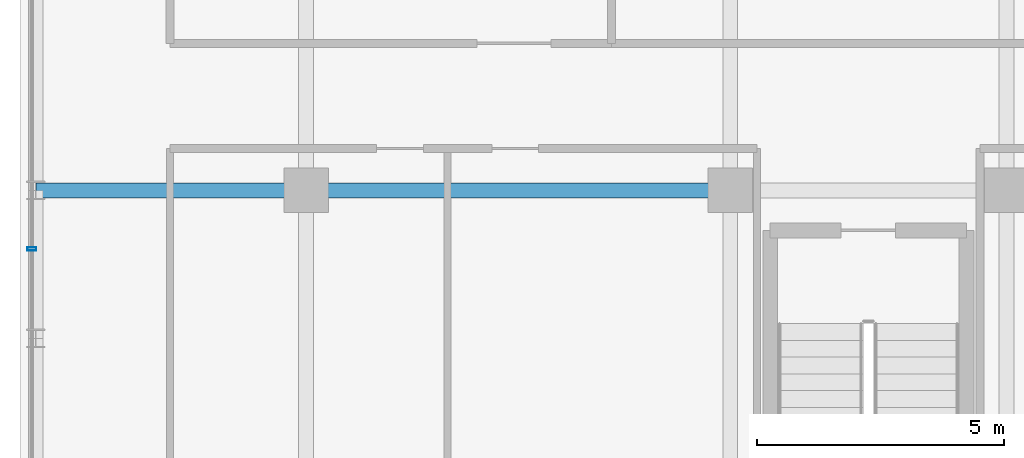
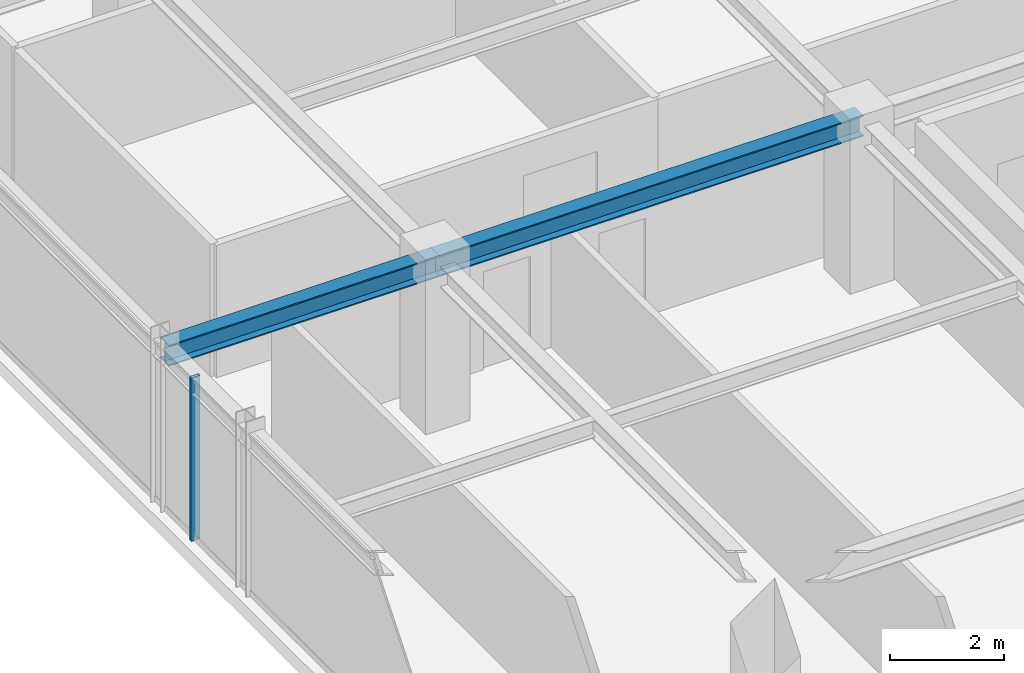
# One storey, part 9 of 33: 2 beams, 1 member, 1 element without a shape of its own.
"""IFC4 building model written with IfcOpenShell, lengths in metres."""

from ifc_helpers import new_model, si_unit, direction, frame, origin, origin_2d, place, context, subcontext, project, spatial, hollow_rectangle, i_section, extrude, source, transform, mapped, material, material_profile, profile_set, type_object, element, aggregate, save


model = new_model("IFC4")

# Units and contexts
model_context = context("Model", 3, precision=1e-05, world=origin(), true_north=direction((0.0, 1.0)))
body_context = subcontext(model_context, "Body", "Model", "MODEL_VIEW")
ifc_project = project(units=[si_unit("LENGTHUNIT", "METRE"), si_unit("AREAUNIT", "SQUARE_METRE"), si_unit("VOLUMEUNIT", "CUBIC_METRE"), si_unit("PLANEANGLEUNIT", "RADIAN"), si_unit("MASSUNIT", "GRAM", prefix="KILO")], contexts=[model_context])

# Site, building, storey
site_placement = place(None, origin())
site = spatial("IfcSite", under=ifc_project, at=site_placement, CompositionType="ELEMENT")
building_placement = place(site_placement, origin())
building = spatial("IfcBuilding", under=site, at=building_placement, Name="Nahalor Promenade Grand Hotel", CompositionType="ELEMENT")
storey_placement = place(building_placement, frame((0.0, 0.0, 315.75)))
storey = spatial("IfcBuildingStorey", under=building, at=storey_placement, Name="L81", CompositionType="ELEMENT", Elevation=315.75)

# Beams
ifc_material_1 = material(Name="Steel S355JR", Category="steel")
ifc_material_profile_1 = material_profile(ifc_material_1, i_section(OverallWidth=0.3, OverallDepth=0.45, WebThickness=0.014, FlangeThickness=0.026, at=origin_2d()), Name="HEB 450")
ifc_profile_set_1 = profile_set([ifc_material_profile_1], Name="Steel S355JR")
beam_type = type_object("IfcBeamType", Name="Beam-Girder-HEB450", PredefinedType="BEAM", material=ifc_profile_set_1)
shared_shape_1 = source(origin(), body_context, "Body", "SweptSolid", [
    extrude(i_section(OverallWidth=0.3, OverallDepth=0.45, WebThickness=0.014, FlangeThickness=0.026, at=origin_2d()), origin(), (0.0, 0.0, 1.0), 8.60009765625),
])
beam_1_placement = place(storey_placement, frame((-17.0, -5.39990234375, 3.27490234375), z_axis=(1.0, 0.0, 0.0), x_axis=(0.0, 1.0, 0.0)))
element("IfcBeam", 1, at=beam_1_placement, inside=storey, type_object=beam_type, Name="BM-L81-GX-1-1", PredefinedType="BEAM", context=body_context, shape_type="MappedRepresentation", body=[
    mapped(shared_shape_1, transform((0.0, 0.0, 0.0), scale=1.0)),
])
shared_shape_2 = source(origin(), body_context, "Body", "SweptSolid", [
    extrude(i_section(OverallWidth=0.3, OverallDepth=0.45, WebThickness=0.014, FlangeThickness=0.026, at=origin_2d()), origin(), (0.0, 0.0, 1.0), 5.47998046875),
])
beam_2_placement = place(storey_placement, frame((-22.47998046875, -5.39990234375, 3.27490234375), z_axis=(1.0, 0.0, 0.0), x_axis=(0.0, 1.0, 0.0)))
element("IfcBeam", 2, at=beam_2_placement, inside=storey, type_object=beam_type, Name="BM-L81-GX-1-0", PredefinedType="BEAM", context=body_context, shape_type="MappedRepresentation", body=[
    mapped(shared_shape_2, transform((0.0, 0.0, 0.0), scale=1.0)),
])

# Curtain wall, member
ifc_material_2 = material(Name="Anodised Bronze Aluminium EN AW-6063 T6", Category="aluminium")
curtain_wall_type = type_object("IfcCurtainWallType", Name="CW2 Typical Hotel Flush Bronze Unitised Curtain Wall", PredefinedType="USERDEFINED", material=ifc_material_2)
curtain_wall_placement = place(storey_placement, origin())
curtain_wall = element("IfcCurtainWall", 3, at=curtain_wall_placement, inside=storey, type_object=curtain_wall_type, Name="L81 Curtain Wall CW-L81-W-1", ObjectType="UNITISED_CURTAIN_WALL", PredefinedType="USERDEFINED")
ifc_material_profile_2 = material_profile(ifc_material_2, hollow_rectangle(XDim=0.065, YDim=0.18, WallThickness=0.004, at=origin_2d()), Name="CWM 65x180x4")
ifc_profile_set_2 = profile_set([ifc_material_profile_2], Name="Anodised Bronze Aluminium EN AW-6063 T6")
member_type = type_object("IfcMemberType", Name="CWM2 Typical Bronze Mullion 65x180", PredefinedType="MULLION", material=ifc_profile_set_2)
shared_shape_3 = source(origin(), body_context, "Body", "SweptSolid", [
    extrude(hollow_rectangle(XDim=0.065, YDim=0.18, WallThickness=0.004, at=origin_2d()), origin(), (0.0, 0.0, 1.0), 3.5),
])
member_placement = place(storey_placement, frame((-22.56005859375, -6.586669921875, 0.0), z_axis=(0.0, 0.0, 1.0), x_axis=(0.0, 1.0, 0.0)))
member = element("IfcMember", 4, at=member_placement, type_object=member_type, Name="CW-L81-W-1 Mullion 1", PredefinedType="MULLION", context=body_context, shape_type="MappedRepresentation", body=[
    mapped(shared_shape_3, transform((0.0, 0.0, 0.0), scale=1.0)),
])
aggregate(curtain_wall, [member])

save(model, "model.ifc")
